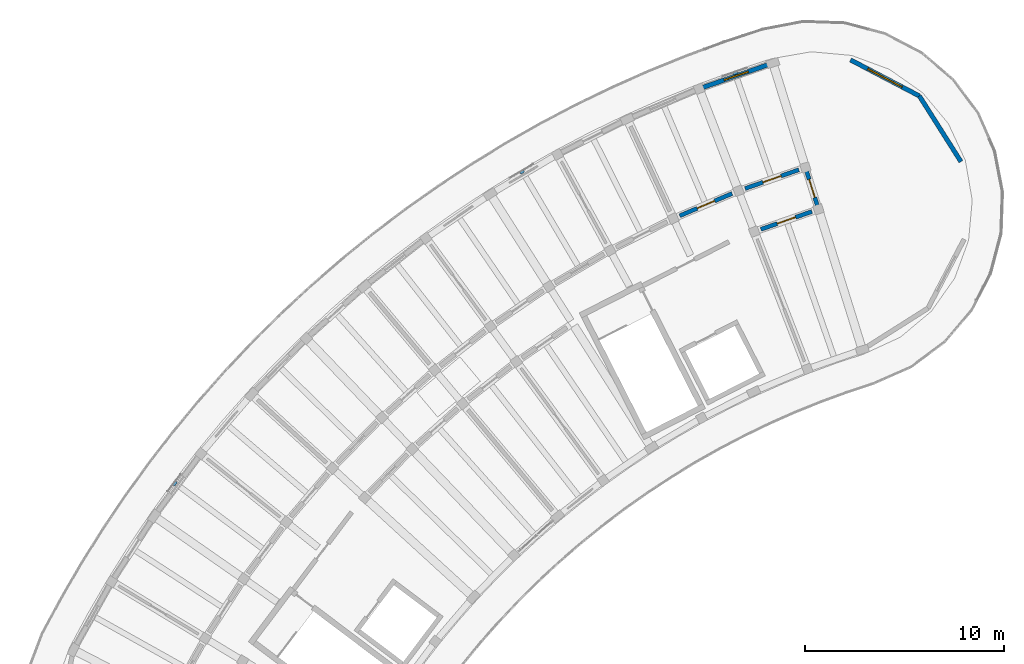
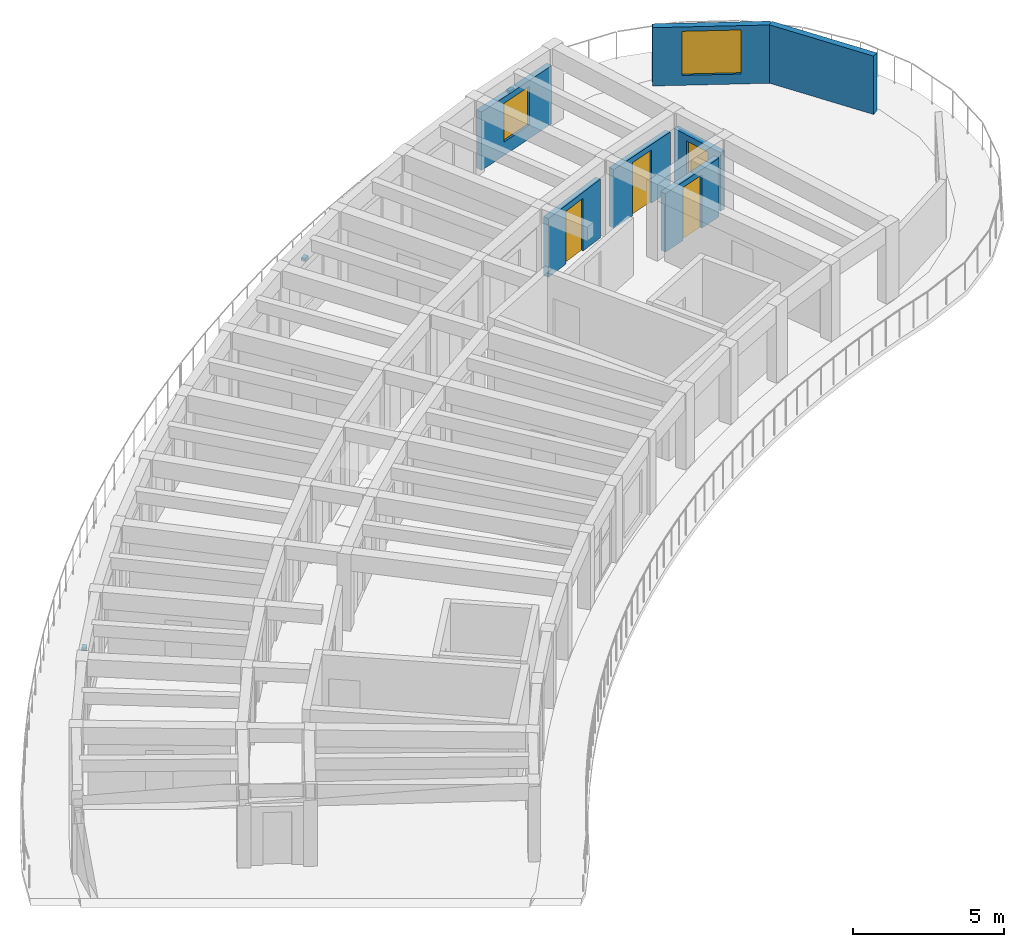
# One storey, part 7 of 9: 7 walls, 4 doors, 3 discrete accessories, 2 windows, 6 openings.
"""IFC4 building model written with IfcOpenShell, lengths in metres."""

from ifc_helpers import new_model, si_unit, direction, frame, frame_2d, origin, origin_2d, place, context, subcontext, project, spatial, rectangle, extrude, material, layer, layer_set, type_object, element, fill, save


model = new_model("IFC4")

# Units and contexts
model_context = context("Model", 3, precision=1e-05, world=origin(), true_north=direction((0.0, 1.0)))
body_context = subcontext(model_context, "Body", "Model", "MODEL_VIEW")
ifc_project = project(units=[si_unit("LENGTHUNIT", "METRE"), si_unit("AREAUNIT", "SQUARE_METRE"), si_unit("VOLUMEUNIT", "CUBIC_METRE"), si_unit("PLANEANGLEUNIT", "RADIAN"), si_unit("MASSUNIT", "GRAM", prefix="KILO")], contexts=[model_context])

# Site, building, storey
site_placement = place(None, origin())
site = spatial("IfcSite", under=ifc_project, at=site_placement, CompositionType="ELEMENT")
building_placement = place(site_placement, origin())
building = spatial("IfcBuilding", under=site, at=building_placement, Name="Tanwirah Colonnade Gardens", CompositionType="ELEMENT")
storey_placement = place(building_placement, frame((0.0, 0.0, 49.159912109375)))
storey = spatial("IfcBuildingStorey", under=building, at=storey_placement, Name="L14", CompositionType="ELEMENT", Elevation=49.159912109375)

# Wall, opening, window
ifc_material_1 = material(Name="Limestone architectural precast concrete C40/50", Category="masonry")
ifc_layer_1 = layer(ifc_material_1, 0.22509765625)
ifc_layer_set_1 = layer_set([ifc_layer_1], Name="Limestone architectural precast concrete C40/50")
wall_type_1 = type_object("IfcWallType", Name="EW-PC225", PredefinedType="SOLIDWALL", material=ifc_layer_set_1)
wall_1_placement = place(storey_placement, frame((47.1025390625, 116.991455078125, 0.0), z_axis=(0.0, 0.0, 1.0), x_axis=(-0.944246784111, -0.329238531608, 0.0)))
wall_1 = element("IfcWall", 1, at=wall_1_placement, inside=storey, type_object=wall_type_1, Name="Block A L14 OUT Precast Facade Wall 3", PredefinedType="SOLIDWALL", context=body_context, shape_type="SweptSolid", body=[
    extrude(rectangle(XDim=3.560791015625, YDim=0.22509765625, at=frame_2d((1.7802734375, 0.0))), origin(), (0.0, 0.0, 1.0), 2.35498046875),
])
opening_1_placement = place(wall_1_placement, frame((1.140380859375, 0.0, 0.550048828125)))
opening_1 = element("IfcOpeningElement", 2, at=opening_1_placement, cuts=wall_1, Name="Opening WIN-U04", PredefinedType="OPENING", context=body_context, shape_type="SweptSolid", body=[
    extrude(rectangle(XDim=1.280029296875, YDim=1.56005859375, at=frame_2d((0.64013671875, 0.780029296875))), frame((0.0, 0.12255859375, 0.0), z_axis=(0.0, -1.0, 0.0), x_axis=(1.0, 0.0, 0.0)), (0.0, 0.0, 1.0), 0.2451171875),
])
ifc_material_2 = material(Name="Thermally broken bronze aluminium and solar low-E double glazing", Category="aluminium")
window_type_1 = type_object("IfcWindowType", Name="WIN-U04", PartitioningType="DOUBLE_PANEL_VERTICAL", PredefinedType="WINDOW", material=ifc_material_2)
window_1_placement = place(opening_1_placement, origin())
window_1 = element("IfcWindow", 3, at=window_1_placement, inside=storey, type_object=window_type_1, Name="Facade window A-L14-OUT-03", OverallHeight=1.56005859375, OverallWidth=1.280029296875, PartitioningType="SINGLE_PANEL", PredefinedType="WINDOW", context=body_context, shape_type="SweptSolid", body=[
    extrude(rectangle(XDim=1.280029296875, YDim=1.56005859375, at=frame_2d((0.64013671875, 0.780029296875))), frame((0.0, 0.030029296875, 0.0), z_axis=(0.0, -1.0, 0.0), x_axis=(1.0, 0.0, 0.0)), (0.0, 0.0, 1.0), 0.06005859375),
])
fill(opening_1, window_1)

wall_2_placement = place(storey_placement, frame((51.1630859375, 117.204833984375, 0.0), z_axis=(0.0, 0.0, 1.0), x_axis=(0.8856664179, -0.464322082399, 0.0)))
wall_2 = element("IfcWall", 4, at=wall_2_placement, inside=storey, type_object=wall_type_1, Name="Block A L14 START Rounded End Wall 1", PredefinedType="SOLIDWALL", context=body_context, shape_type="SweptSolid", body=[
    extrude(rectangle(XDim=3.908203125, YDim=0.22509765625, at=frame_2d((1.9541015625, 0.0))), origin(), (0.0, 0.0, 1.0), 2.35498046875),
])
opening_2_placement = place(wall_2_placement, frame((0.97900390625, 0.0, 0.39990234375)))
opening_2 = element("IfcOpeningElement", 5, at=opening_2_placement, cuts=wall_2, Name="Opening WIN-END2", PredefinedType="OPENING", context=body_context, shape_type="SweptSolid", body=[
    extrude(rectangle(XDim=1.949951171875, YDim=1.780029296875, at=frame_2d((0.97509765625, 0.89013671875))), frame((0.0, 0.12255859375, 0.0), z_axis=(0.0, -1.0, 0.0), x_axis=(1.0, 0.0, 0.0)), (0.0, 0.0, 1.0), 0.2451171875),
])
window_type_2 = type_object("IfcWindowType", Name="WIN-END2", PartitioningType="TRIPLE_PANEL_VERTICAL", PredefinedType="WINDOW", material=ifc_material_2)
window_2_placement = place(opening_2_placement, origin())
window_2 = element("IfcWindow", 6, at=window_2_placement, inside=storey, type_object=window_type_2, Name="Rounded corner window A-L14-START-1", OverallHeight=1.780029296875, OverallWidth=1.949951171875, PartitioningType="SINGLE_PANEL", PredefinedType="WINDOW", context=body_context, shape_type="SweptSolid", body=[
    extrude(rectangle(XDim=1.949951171875, YDim=1.780029296875, at=frame_2d((0.97509765625, 0.89013671875))), frame((0.0, 0.030029296875, 0.0), z_axis=(0.0, -1.0, 0.0), x_axis=(1.0, 0.0, 0.0)), (0.0, 0.0, 1.0), 0.06005859375),
])
fill(opening_2, window_2)

# Wall
wall_3_placement = place(storey_placement, frame((54.62451171875, 115.39013671875, 0.0), z_axis=(0.0, 0.0, 1.0), x_axis=(0.534852920994, -0.844945177455, 0.0)))
element("IfcWall", 7, at=wall_3_placement, inside=storey, type_object=wall_type_1, Name="Block A L14 START Rounded End Wall 2", PredefinedType="SOLIDWALL", context=body_context, shape_type="SweptSolid", body=[
    extrude(rectangle(XDim=3.908203125, YDim=0.22509765625, at=frame_2d((1.9541015625, 0.0))), origin(), (0.0, 0.0, 1.0), 2.35498046875),
])

# Wall, opening, door
ifc_material_3 = material(Name="Precast concrete C40/50", Category="concrete")
ifc_layer_2 = layer(ifc_material_3, 0.205078125)
ifc_layer_set_2 = layer_set([ifc_layer_2], Name="Precast concrete C40/50")
wall_type_2 = type_object("IfcWallType", Name="IW-CORR205", PredefinedType="PARTITIONING", material=ifc_layer_set_2)
wall_4_placement = place(storey_placement, frame((48.56640625, 111.68017578125, 0.0), z_axis=(0.0, 0.0, 1.0), x_axis=(-0.944253820929, -0.329218349522, 0.0)))
wall_4 = element("IfcWall", 8, at=wall_4_placement, inside=storey, type_object=wall_type_2, Name="Block A L14 OUT Corridor Wall 3", PredefinedType="PARTITIONING", context=body_context, shape_type="SweptSolid", body=[
    extrude(rectangle(XDim=2.86328125, YDim=0.205078125, at=frame_2d((1.431640625, 0.0))), origin(), (0.0, 0.0, 1.0), 2.3701171875),
])
opening_3_placement = place(wall_4_placement, frame((0.946533203125, 0.0, 0.0)))
opening_3 = element("IfcOpeningElement", 9, at=opening_3_placement, cuts=wall_4, Name="Opening L14-AD766", PredefinedType="OPENING", context=body_context, shape_type="SweptSolid", body=[
    extrude(rectangle(XDim=0.969970703125, YDim=2.14990234375, at=frame_2d((0.48486328125, 1.074951171875))), frame((0.0, 0.112548828125, 0.0), z_axis=(0.0, -1.0, 0.0), x_axis=(1.0, 0.0, 0.0)), (0.0, 0.0, 1.0), 0.22509765625),
])
ifc_material_4 = material(Name="Solid oak fire-resisting apartment entrance door")
door_type_1 = type_object("IfcDoorType", Name="ID-FLT097", OperationType="NOTDEFINED", PredefinedType="DOOR", material=ifc_material_4)
door_1_placement = place(opening_3_placement, origin())
door_1 = element("IfcDoor", 10, at=door_1_placement, inside=storey, type_object=door_type_1, Name="Apartment corridor door L14-AD766", OperationType="SINGLE_SWING_RIGHT", OverallHeight=2.14990234375, OverallWidth=0.969970703125, PredefinedType="DOOR", context=body_context, shape_type="SweptSolid", body=[
    extrude(rectangle(XDim=0.969970703125, YDim=2.14990234375, at=frame_2d((0.48486328125, 1.074951171875))), frame((0.0, 0.02490234375, 0.0), z_axis=(0.0, -1.0, 0.0), x_axis=(1.0, 0.0, 0.0)), (0.0, 0.0, 1.0), 0.050048828125),
])
fill(opening_3, door_1)

wall_5_placement = place(storey_placement, frame((49.221923828125, 109.580078125, 0.0), z_axis=(0.0, 0.0, 1.0), x_axis=(-0.944265123647, -0.329185929627, 0.0)))
wall_5 = element("IfcWall", 11, at=wall_5_placement, inside=storey, type_object=wall_type_2, Name="Block A L14 IN Corridor Wall 3", PredefinedType="PARTITIONING", context=body_context, shape_type="SweptSolid", body=[
    extrude(rectangle(XDim=2.71826171875, YDim=0.205078125, at=frame_2d((1.359130859375, 0.0))), origin(), (0.0, 0.0, 1.0), 2.3701171875),
])
opening_4_placement = place(wall_5_placement, frame((0.8740234375, 0.0, 0.0)))
opening_4 = element("IfcOpeningElement", 12, at=opening_4_placement, cuts=wall_5, Name="Opening L14-AD767", PredefinedType="OPENING", context=body_context, shape_type="SweptSolid", body=[
    extrude(rectangle(XDim=0.969970703125, YDim=2.14990234375, at=frame_2d((0.48486328125, 1.074951171875))), frame((0.0, 0.112548828125, 0.0), z_axis=(0.0, -1.0, 0.0), x_axis=(1.0, 0.0, 0.0)), (0.0, 0.0, 1.0), 0.22509765625),
])
door_2_placement = place(opening_4_placement, origin())
door_2 = element("IfcDoor", 13, at=door_2_placement, inside=storey, type_object=door_type_1, Name="Apartment corridor door L14-AD767", OperationType="SINGLE_SWING_LEFT", OverallHeight=2.14990234375, OverallWidth=0.969970703125, PredefinedType="DOOR", context=body_context, shape_type="SweptSolid", body=[
    extrude(rectangle(XDim=0.969970703125, YDim=2.14990234375, at=frame_2d((0.48486328125, 1.074951171875))), frame((0.0, 0.02490234375, 0.0), z_axis=(0.0, -1.0, 0.0), x_axis=(1.0, 0.0, 0.0)), (0.0, 0.0, 1.0), 0.050048828125),
])
fill(opening_4, door_2)

wall_6_placement = place(storey_placement, frame((45.210205078125, 110.485595703125, 0.0), z_axis=(0.0, 0.0, 1.0), x_axis=(-0.920511160294, -0.390716270168, 0.0)))
wall_6 = element("IfcWall", 14, at=wall_6_placement, inside=storey, type_object=wall_type_2, Name="Block A L14 OUT Corridor Wall 4", PredefinedType="PARTITIONING", context=body_context, shape_type="SweptSolid", body=[
    extrude(rectangle(XDim=2.863037109375, YDim=0.205078125, at=frame_2d((1.431640625, 0.0))), origin(), (0.0, 0.0, 1.0), 2.3701171875),
])
opening_5_placement = place(wall_6_placement, frame((0.95654296875, 0.0, 0.0)))
opening_5 = element("IfcOpeningElement", 15, at=opening_5_placement, cuts=wall_6, Name="Opening L14-AD769", PredefinedType="OPENING", context=body_context, shape_type="SweptSolid", body=[
    extrude(rectangle(XDim=0.949951171875, YDim=2.1298828125, at=frame_2d((0.47509765625, 1.06494140625))), frame((0.0, 0.112548828125, 0.0), z_axis=(0.0, -1.0, 0.0), x_axis=(1.0, 0.0, 0.0)), (0.0, 0.0, 1.0), 0.22509765625),
])
door_type_2 = type_object("IfcDoorType", Name="ID-FLT095", OperationType="NOTDEFINED", PredefinedType="DOOR", material=ifc_material_4)
door_3_placement = place(opening_5_placement, origin())
door_3 = element("IfcDoor", 16, at=door_3_placement, inside=storey, type_object=door_type_2, Name="Apartment corridor door L14-AD769", OperationType="SINGLE_SWING_LEFT", OverallHeight=2.1298828125, OverallWidth=0.949951171875, PredefinedType="DOOR", context=body_context, shape_type="SweptSolid", body=[
    extrude(rectangle(XDim=0.949951171875, YDim=2.1298828125, at=frame_2d((0.47509765625, 1.06494140625))), frame((0.0, 0.02490234375, 0.0), z_axis=(0.0, -1.0, 0.0), x_axis=(1.0, 0.0, 0.0)), (0.0, 0.0, 1.0), 0.050048828125),
])
fill(opening_5, door_3)

wall_7_placement = place(storey_placement, frame((49.537353515625, 109.7431640625, 0.0), z_axis=(0.0, 0.0, 1.0), x_axis=(-0.297857918398, 0.954610213882, 0.0)))
wall_7 = element("IfcWall", 17, at=wall_7_placement, inside=storey, type_object=wall_type_2, Name="Block A L14 CS Corner Suite Corridor Wall", PredefinedType="PARTITIONING", context=body_context, shape_type="SweptSolid", body=[
    extrude(rectangle(XDim=2.099853515625, YDim=0.205078125, at=frame_2d((1.0498046875, 0.0))), origin(), (0.0, 0.0, 1.0), 2.3701171875),
])
opening_6_placement = place(wall_7_placement, frame((0.570068359375, 0.0, 0.0)))
opening_6 = element("IfcOpeningElement", 18, at=opening_6_placement, cuts=wall_7, Name="Opening L14-CD790", PredefinedType="OPENING", context=body_context, shape_type="SweptSolid", body=[
    extrude(rectangle(XDim=0.949951171875, YDim=2.1298828125, at=frame_2d((0.47509765625, 1.06494140625))), frame((0.0, 0.112548828125, 0.0), z_axis=(0.0, -1.0, 0.0), x_axis=(1.0, 0.0, 0.0)), (0.0, 0.0, 1.0), 0.22509765625),
])
door_4_placement = place(opening_6_placement, origin())
door_4 = element("IfcDoor", 19, at=door_4_placement, inside=storey, type_object=door_type_2, Name="Corner suite entrance door L14-CD790", OperationType="SINGLE_SWING_LEFT", OverallHeight=2.1298828125, OverallWidth=0.949951171875, PredefinedType="DOOR", context=body_context, shape_type="SweptSolid", body=[
    extrude(rectangle(XDim=0.949951171875, YDim=2.1298828125, at=frame_2d((0.47509765625, 1.06494140625))), frame((0.0, 0.02490234375, 0.0), z_axis=(0.0, -1.0, 0.0), x_axis=(1.0, 0.0, 0.0)), (0.0, 0.0, 1.0), 0.050048828125),
])
fill(opening_6, door_4)

# Discrete accessories
ifc_material_5 = material(Name="Steel S355", Category="steel")
discrete_accessory_type = type_object("IfcDiscreteAccessoryType", Name="BRK-SS1", PredefinedType="BRACKET", material=ifc_material_5)
for number, where, z_axis, x_axis, name in (
    (20, (45.367919921875, 116.55859375, 2.110107421875), (0.0, 0.0, 1.0), (-0.944248513297, -0.329233572311, 0.0), "Solar screen support bracket A-L14-03"),
    (21, (34.64501953125, 111.583740234375, 2.110107421875), (0.0, 0.0, 1.0), (-0.861136175856, -0.50837435678, 0.0), "Solar screen support bracket A-L14-06"),
    (22, (17.18798828125, 95.917236328125, 2.0), (0.0, 0.0, 1.0), (-0.598711833846, -0.800964506088, 0.0), "Solar screen support bracket A-L14-12"),
):
    element("IfcDiscreteAccessory", number, at=place(storey_placement, frame(where, z_axis=z_axis, x_axis=x_axis)), inside=storey, type_object=discrete_accessory_type, Name=name, PredefinedType="BRACKET", context=body_context, shape_type="SweptSolid", body=[
        extrude(rectangle(XDim=0.219970703125, YDim=0.159912109375, at=origin_2d()), origin(), (0.0, 0.0, 1.0), 0.1201171875),
    ])

save(model, "model.ifc")
